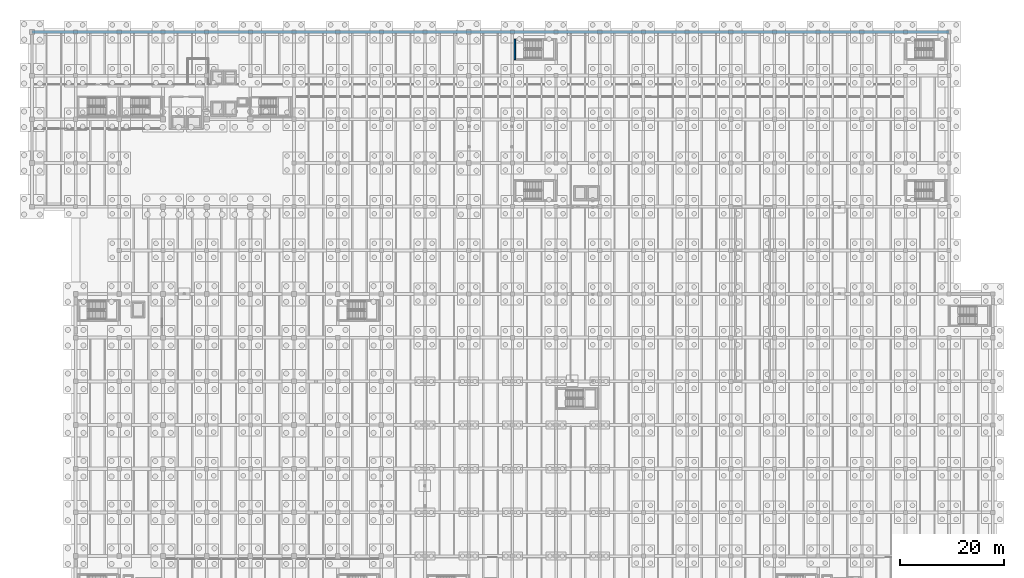
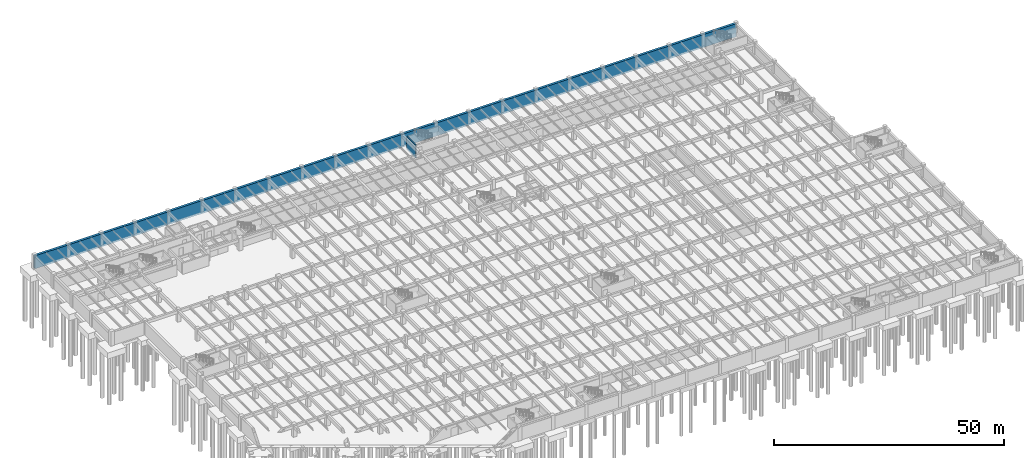
# One storey, part 48 of 70: 2 walls.
"""IFC4 building model written with IfcOpenShell, lengths in metres."""

from ifc_helpers import new_model, si_unit, direction, frame, frame_2d, origin, place, context, subcontext, project, spatial, rectangle, extrude, material, layer, layer_set, type_object, element, save


model = new_model("IFC4")

# Units and contexts
model_context = context("Model", 3, precision=1e-05, world=origin(), true_north=direction((0.0, 1.0)))
body_context = subcontext(model_context, "Body", "Model", "MODEL_VIEW")
ifc_project = project(units=[si_unit("LENGTHUNIT", "METRE"), si_unit("AREAUNIT", "SQUARE_METRE"), si_unit("VOLUMEUNIT", "CUBIC_METRE"), si_unit("PLANEANGLEUNIT", "RADIAN"), si_unit("MASSUNIT", "GRAM", prefix="KILO")], contexts=[model_context])

# Site, building, storey
site_placement = place(None, origin())
site = spatial("IfcSite", under=ifc_project, at=site_placement, CompositionType="ELEMENT")
building_placement = place(site_placement, origin())
building = spatial("IfcBuilding", under=site, at=building_placement, Name="Cumbredor Promenade Congress Hotel", CompositionType="ELEMENT")
storey_placement = place(building_placement, frame((0.0, 0.0, -7.56005859375)))
storey = spatial("IfcBuildingStorey", under=building, at=storey_placement, Name="B02", CompositionType="ELEMENT", Elevation=-7.56005859375)

# Walls
ifc_material = material(Name="Concrete C40/50", Category="concrete")
ifc_layer_1 = layer(ifc_material, 0.60009765625, Name="Concrete C40/50", Category="concrete")
ifc_layer_set_1 = layer_set([ifc_layer_1], Name="Concrete C40/50")
wall_type_1 = type_object("IfcWallType", Name="Basement Retaining Wall 600mm", PredefinedType="USERDEFINED", material=ifc_layer_set_1)
wall_1_placement = place(storey_placement, frame((176.39990234375, 117.60009765625, -0.5), z_axis=(0.0, 0.0, 1.0), x_axis=(-1.0, 0.0, 0.0)))
element("IfcWall", 1, at=wall_1_placement, inside=storey, type_object=wall_type_1, Name="B02 Basement Retaining Wall RW-B02-05", ObjectType="RETAINING WALL", PredefinedType="USERDEFINED", context=body_context, shape_type="SweptSolid", body=[
    extrude(rectangle(XDim=176.39990234375, YDim=0.60009765625, at=frame_2d((88.199951171875, 0.0))), origin(), (0.0, 0.0, 1.0), 3.4599609375),
])
ifc_layer_2 = layer(ifc_material, 0.2548828125, Name="Concrete C40/50", Category="concrete")
ifc_layer_set_2 = layer_set([ifc_layer_2], Name="Concrete C40/50")
wall_type_2 = type_object("IfcWallType", Name="WL-SHAFT-250", PredefinedType="SOLIDWALL", material=ifc_layer_set_2)
wall_2_placement = place(storey_placement, frame((92.8798828125, 112.300048828125, -0.5), z_axis=(0.0, 0.0, 1.0), x_axis=(0.0, 1.0, 0.0)))
element("IfcWall", 2, at=wall_2_placement, inside=storey, type_object=wall_type_2, Name="STAIR-ST-15-B02 Shaft Wall West", PredefinedType="SOLIDWALL", context=body_context, shape_type="SweptSolid", body=[
    extrude(rectangle(XDim=3.849853515625, YDim=0.2548828125, at=frame_2d((1.9248046875, 0.0))), origin(), (0.0, 0.0, 1.0), 3.4599609375),
])

save(model, "model.ifc")
